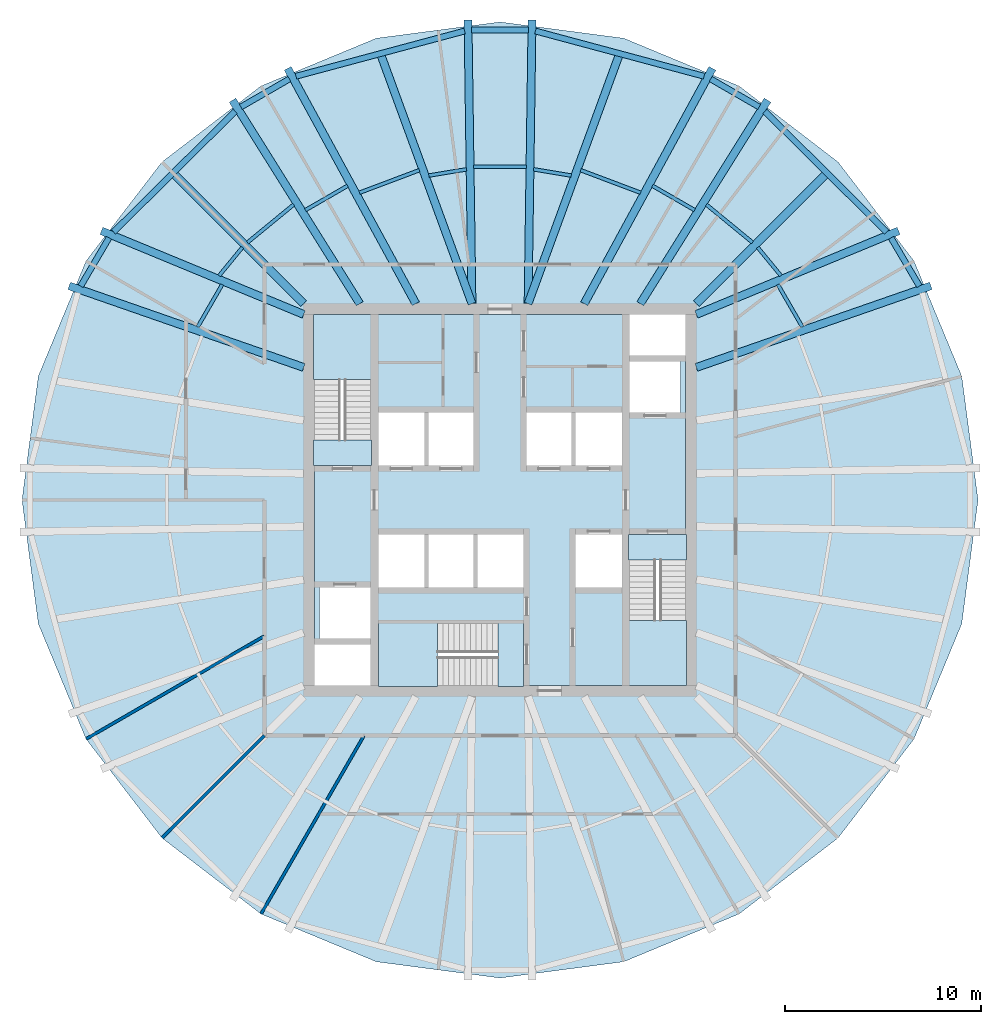
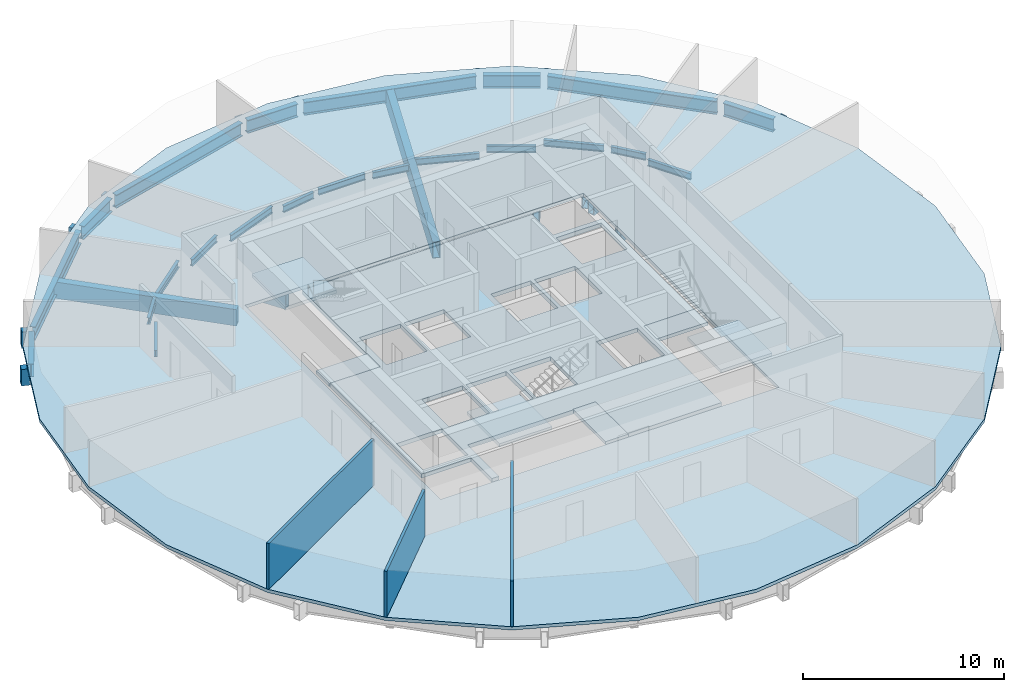
# One storey, part 2 of 6: 36 beams, 8 slabs, 3 walls, 3 elements without a shape of their own.
"""IFC4 building model written with IfcOpenShell, lengths in metres."""

from ifc_helpers import new_model, si_unit, direction, frame, frame_2d, origin, origin_2d, place, context, subcontext, project, spatial, polyline, rectangle, hollow_rectangle, i_section, outline, extrude, material, layer, layer_set, material_profile, profile_set, type_object, element, aggregate, save


model = new_model("IFC4")

# Units and contexts
model_context = context("Model", 3, precision=1e-05, world=origin(), true_north=direction((0.0, 1.0)))
body_context = subcontext(model_context, "Body", "Model", "MODEL_VIEW")
ifc_project = project(units=[si_unit("LENGTHUNIT", "METRE"), si_unit("AREAUNIT", "SQUARE_METRE"), si_unit("VOLUMEUNIT", "CUBIC_METRE"), si_unit("PLANEANGLEUNIT", "RADIAN"), si_unit("MASSUNIT", "GRAM", prefix="KILO")], contexts=[model_context])

# Site, building, storey
site_placement = place(None, origin())
site = spatial("IfcSite", under=ifc_project, at=site_placement, CompositionType="ELEMENT")
building_placement = place(site_placement, origin())
building = spatial("IfcBuilding", under=site, at=building_placement, Name="Golbaran Civic Tower", CompositionType="ELEMENT")
storey_placement = place(building_placement, frame((0.0, 0.0, 146.0)))
storey = spatial("IfcBuildingStorey", under=building, at=storey_placement, Name="L35", CompositionType="ELEMENT", Elevation=146.0)

# Beams
ifc_material_1 = material(Name="Steel S355", Category="steel")
ifc_material_profile_1 = material_profile(ifc_material_1, i_section(OverallWidth=0.300048828125, OverallDepth=0.800048828125, WebThickness=0.017578125, FlangeThickness=0.032958984375, FilletRadius=0.030029296875, at=origin_2d()), Name="HEB 800")
ifc_profile_set_1 = profile_set([ifc_material_profile_1], Name="Steel S355")
beam_type_1 = type_object("IfcBeamType", Name="EDGE BEAM HEB 800", PredefinedType="BEAM", material=ifc_profile_set_1)
beam_1_placement = place(storey_placement, frame((21.357177734375, 10.89208984375, -0.60009765625), z_axis=(-0.506444074261, 0.862272810452, 0.0), x_axis=(-0.862272810452, -0.506444074261, 0.0)))
element("IfcBeam", 1, at=beam_1_placement, inside=storey, type_object=beam_type_1, Name="Edge beam 26.25 L35", PredefinedType="BEAM", context=body_context, shape_type="SweptSolid", body=[
    extrude(i_section(OverallWidth=0.300048828125, OverallDepth=0.800048828125, WebThickness=0.017578125, FlangeThickness=0.032958984375, FilletRadius=0.030029296875, at=origin_2d()), origin(), (0.0, 0.0, 1.0), 2.852783203125),
])
beam_2_placement = place(storey_placement, frame((19.681884765625, 13.646240234375, -0.60009765625), z_axis=(-0.709897225129, 0.704305281646, 0.0), x_axis=(-0.704305281646, -0.709897225129, 0.0)))
element("IfcBeam", 2, at=beam_2_placement, inside=storey, type_object=beam_type_1, Name="Edge beam 33.75 L35", PredefinedType="BEAM", context=body_context, shape_type="SweptSolid", body=[
    extrude(i_section(OverallWidth=0.300048828125, OverallDepth=0.800048828125, WebThickness=0.017578125, FlangeThickness=0.032958984375, FilletRadius=0.030029296875, at=origin_2d()), origin(), (0.0, 0.0, 1.0), 8.73193359375),
])
beam_3_placement = place(storey_placement, frame((13.196044921875, 20.01611328125, -0.60009765625), z_axis=(-0.866144257683, 0.49979408248, 0.0), x_axis=(-0.49979408248, -0.866144257683, 0.0)))
element("IfcBeam", 3, at=beam_3_placement, inside=storey, type_object=beam_type_1, Name="Edge beam 56.25 L35", PredefinedType="BEAM", context=body_context, shape_type="SweptSolid", body=[
    extrude(i_section(OverallWidth=0.300048828125, OverallDepth=0.800048828125, WebThickness=0.017578125, FlangeThickness=0.032958984375, FilletRadius=0.030029296875, at=origin_2d()), origin(), (0.0, 0.0, 1.0), 2.852294921875),
])
beam_4_placement = place(storey_placement, frame((10.390869140625, 21.57958984375, -0.60009765625), z_axis=(-0.965864791698, 0.259046721958, 0.0), x_axis=(-0.259046721958, -0.965864791698, 0.0)))
element("IfcBeam", 4, at=beam_4_placement, inside=storey, type_object=beam_type_1, Name="Edge beam 63.75 L35", PredefinedType="BEAM", context=body_context, shape_type="SweptSolid", body=[
    extrude(i_section(OverallWidth=0.300048828125, OverallDepth=0.800048828125, WebThickness=0.017578125, FlangeThickness=0.032958984375, FilletRadius=0.030029296875, at=origin_2d()), origin(), (0.0, 0.0, 1.0), 8.89111328125),
])
beam_5_placement = place(storey_placement, frame((1.444091796875, 23.930908203125, -0.60009765625), z_axis=(-1.0, 0.0, 0.0), x_axis=(0.0, -1.0, 0.0)))
element("IfcBeam", 5, at=beam_5_placement, inside=storey, type_object=beam_type_1, Name="Edge beam 86.25 L35", PredefinedType="BEAM", context=body_context, shape_type="SweptSolid", body=[
    extrude(i_section(OverallWidth=0.300048828125, OverallDepth=0.800048828125, WebThickness=0.017578125, FlangeThickness=0.032958984375, FilletRadius=0.030029296875, at=origin_2d()), origin(), (0.0, 0.0, 1.0), 2.88818359375),
])
beam_6_placement = place(storey_placement, frame((-1.80322265625, 23.8828125, -0.60009765625), z_axis=(-0.965864791698, -0.259046721958, 0.0), x_axis=(0.259046721958, -0.965864791698, 0.0)))
element("IfcBeam", 6, at=beam_6_placement, inside=storey, type_object=beam_type_1, Name="Edge beam 93.75 L35", PredefinedType="BEAM", context=body_context, shape_type="SweptSolid", body=[
    extrude(i_section(OverallWidth=0.300048828125, OverallDepth=0.800048828125, WebThickness=0.017578125, FlangeThickness=0.032958984375, FilletRadius=0.030029296875, at=origin_2d()), origin(), (0.0, 0.0, 1.0), 8.89111328125),
])
beam_7_placement = place(storey_placement, frame((-10.7255859375, 21.441650390625, -0.60009765625), z_axis=(-0.866144257683, -0.49979408248, 0.0), x_axis=(0.49979408248, -0.866144257683, 0.0)))
element("IfcBeam", 7, at=beam_7_placement, inside=storey, type_object=beam_type_1, Name="Edge beam 116.25 L35", PredefinedType="BEAM", context=body_context, shape_type="SweptSolid", body=[
    extrude(i_section(OverallWidth=0.300048828125, OverallDepth=0.800048828125, WebThickness=0.017578125, FlangeThickness=0.032958984375, FilletRadius=0.030029296875, at=origin_2d()), origin(), (0.0, 0.0, 1.0), 2.852294921875),
])
beam_8_placement = place(storey_placement, frame((-13.483154296875, 19.796142578125, -0.60009765625), z_axis=(-0.709897225129, -0.704305281646, 0.0), x_axis=(0.704305281646, -0.709897225129, 0.0)))
element("IfcBeam", 8, at=beam_8_placement, inside=storey, type_object=beam_type_1, Name="Edge beam 123.75 L35", PredefinedType="BEAM", context=body_context, shape_type="SweptSolid", body=[
    extrude(i_section(OverallWidth=0.300048828125, OverallDepth=0.800048828125, WebThickness=0.017578125, FlangeThickness=0.032958984375, FilletRadius=0.030029296875, at=origin_2d()), origin(), (0.0, 0.0, 1.0), 8.73193359375),
])
beam_9_placement = place(storey_placement, frame((-19.912353515625, 13.35205078125, -0.60009765625), z_axis=(-0.506444074261, -0.862272810452, 0.0), x_axis=(0.862272810452, -0.506444074261, 0.0)))
element("IfcBeam", 9, at=beam_9_placement, inside=storey, type_object=beam_type_1, Name="Edge beam 146.25 L35", PredefinedType="BEAM", context=body_context, shape_type="SweptSolid", body=[
    extrude(i_section(OverallWidth=0.300048828125, OverallDepth=0.800048828125, WebThickness=0.017578125, FlangeThickness=0.032958984375, FilletRadius=0.030029296875, at=origin_2d()), origin(), (0.0, 0.0, 1.0), 2.852783203125),
])
ifc_material_profile_2 = material_profile(ifc_material_1, i_section(OverallWidth=0.179931640625, OverallDepth=0.39990234375, WebThickness=0.008544921875, FlangeThickness=0.013427734375, FilletRadius=0.02099609375, at=origin_2d()), Name="IPE 400")
ifc_profile_set_2 = profile_set([ifc_material_profile_2], Name="Steel S355")
beam_type_2 = type_object("IfcBeamType", Name="FLOOR INFILL BEAM IPE 400", PredefinedType="BEAM", material=ifc_profile_set_2)
beam_10_placement = place(storey_placement, frame((15.3935546875, 8.817138671875, -0.39990234375), z_axis=(-0.499983108224, 0.866035156036, 0.0), x_axis=(-0.866035156036, -0.499983108224, 0.0)))
element("IfcBeam", 10, at=beam_10_placement, inside=storey, type_object=beam_type_2, Name="Infill beam 30.00 L35", PredefinedType="BEAM", context=body_context, shape_type="SweptSolid", body=[
    extrude(i_section(OverallWidth=0.179931640625, OverallDepth=0.39990234375, WebThickness=0.008544921875, FlangeThickness=0.013427734375, FilletRadius=0.02099609375, at=origin_2d()), origin(), (0.0, 0.0, 1.0), 2.486328125),
])
beam_11_placement = place(storey_placement, frame((14.30419921875, 11.423583984375, -0.39990234375), z_axis=(-0.634348693191, 0.773047046076, 0.0), x_axis=(-0.773047046076, -0.634348693191, 0.0)))
element("IfcBeam", 11, at=beam_11_placement, inside=storey, type_object=beam_type_2, Name="Infill beam 39.37 L35", PredefinedType="BEAM", context=body_context, shape_type="SweptSolid", body=[
    extrude(i_section(OverallWidth=0.179931640625, OverallDepth=0.39990234375, WebThickness=0.008544921875, FlangeThickness=0.013427734375, FilletRadius=0.02099609375, at=origin_2d()), origin(), (0.0, 0.0, 1.0), 1.86572265625),
])
beam_12_placement = place(storey_placement, frame((12.859619140625, 13.114013671875, -0.39990234375), z_axis=(-0.773044086455, 0.634352299907, 0.0), x_axis=(-0.634352299907, -0.773044086455, 0.0)))
element("IfcBeam", 12, at=beam_12_placement, inside=storey, type_object=beam_type_2, Name="Infill beam 50.63 L35", PredefinedType="BEAM", context=body_context, shape_type="SweptSolid", body=[
    extrude(i_section(OverallWidth=0.179931640625, OverallDepth=0.39990234375, WebThickness=0.008544921875, FlangeThickness=0.013427734375, FilletRadius=0.02099609375, at=origin_2d()), origin(), (0.0, 0.0, 1.0), 3.0400390625),
])
beam_13_placement = place(storey_placement, frame((9.90966796875, 14.762451171875, -0.39990234375), z_axis=(-0.866005271205, 0.500034869029, 0.0), x_axis=(-0.500034869029, -0.866005271205, 0.0)))
element("IfcBeam", 13, at=beam_13_placement, inside=storey, type_object=beam_type_2, Name="Infill beam 60.00 L35", PredefinedType="BEAM", context=body_context, shape_type="SweptSolid", body=[
    extrude(i_section(OverallWidth=0.179931640625, OverallDepth=0.39990234375, WebThickness=0.008544921875, FlangeThickness=0.013427734375, FilletRadius=0.02099609375, at=origin_2d()), origin(), (0.0, 0.0, 1.0), 2.480224609375),
])
beam_14_placement = place(storey_placement, frame((7.158447265625, 15.64794921875, -0.39990234375), z_axis=(-0.93588812871, 0.352297332575, 0.0), x_axis=(-0.352297332575, -0.93588812871, 0.0)))
element("IfcBeam", 14, at=beam_14_placement, inside=storey, type_object=beam_type_2, Name="Infill beam 69.37 L35", PredefinedType="BEAM", context=body_context, shape_type="SweptSolid", body=[
    extrude(i_section(OverallWidth=0.179931640625, OverallDepth=0.39990234375, WebThickness=0.008544921875, FlangeThickness=0.013427734375, FilletRadius=0.02099609375, at=origin_2d()), origin(), (0.0, 0.0, 1.0), 3.258544921875),
])
beam_15_placement = place(storey_placement, frame((3.625244140625, 16.5224609375, -0.39990234375), z_axis=(-0.986640247063, 0.162914157994, 0.0), x_axis=(-0.162914157994, -0.986640247063, 0.0)))
element("IfcBeam", 15, at=beam_15_placement, inside=storey, type_object=beam_type_2, Name="Infill beam 80.63 L35", PredefinedType="BEAM", context=body_context, shape_type="SweptSolid", body=[
    extrude(i_section(OverallWidth=0.179931640625, OverallDepth=0.39990234375, WebThickness=0.008544921875, FlangeThickness=0.013427734375, FilletRadius=0.02099609375, at=origin_2d()), origin(), (0.0, 0.0, 1.0), 1.94677734375),
])
beam_16_placement = place(storey_placement, frame((1.34619140625, 16.965576171875, -0.39990234375), z_axis=(-1.0, 0.0, 0.0), x_axis=(0.0, -1.0, 0.0)))
element("IfcBeam", 16, at=beam_16_placement, inside=storey, type_object=beam_type_2, Name="Infill beam 90.00 L35", PredefinedType="BEAM", context=body_context, shape_type="SweptSolid", body=[
    extrude(i_section(OverallWidth=0.179931640625, OverallDepth=0.39990234375, WebThickness=0.008544921875, FlangeThickness=0.013427734375, FilletRadius=0.02099609375, at=origin_2d()), origin(), (0.0, 0.0, 1.0), 2.6923828125),
])
beam_17_placement = place(storey_placement, frame((-1.70458984375, 16.839599609375, -0.39990234375), z_axis=(-0.986640247063, -0.162914157994, 0.0), x_axis=(0.162914157994, -0.986640247063, 0.0)))
element("IfcBeam", 17, at=beam_17_placement, inside=storey, type_object=beam_type_2, Name="Infill beam 99.37 L35", PredefinedType="BEAM", context=body_context, shape_type="SweptSolid", body=[
    extrude(i_section(OverallWidth=0.179931640625, OverallDepth=0.39990234375, WebThickness=0.008544921875, FlangeThickness=0.013427734375, FilletRadius=0.02099609375, at=origin_2d()), origin(), (0.0, 0.0, 1.0), 1.94677734375),
])
beam_18_placement = place(storey_placement, frame((-4.10888671875, 16.7958984375, -0.39990234375), z_axis=(-0.93588812871, -0.352297332575, 0.0), x_axis=(0.352297332575, -0.93588812871, 0.0)))
element("IfcBeam", 18, at=beam_18_placement, inside=storey, type_object=beam_type_2, Name="Infill beam 110.63 L35", PredefinedType="BEAM", context=body_context, shape_type="SweptSolid", body=[
    extrude(i_section(OverallWidth=0.179931640625, OverallDepth=0.39990234375, WebThickness=0.008544921875, FlangeThickness=0.013427734375, FilletRadius=0.02099609375, at=origin_2d()), origin(), (0.0, 0.0, 1.0), 3.258544921875),
])
beam_19_placement = place(storey_placement, frame((-7.76171875, 16.002685546875, -0.39990234375), z_axis=(-0.866005271205, -0.500034869029, 0.0), x_axis=(0.500034869029, -0.866005271205, 0.0)))
element("IfcBeam", 19, at=beam_19_placement, inside=storey, type_object=beam_type_2, Name="Infill beam 120.00 L35", PredefinedType="BEAM", context=body_context, shape_type="SweptSolid", body=[
    extrude(i_section(OverallWidth=0.179931640625, OverallDepth=0.39990234375, WebThickness=0.008544921875, FlangeThickness=0.013427734375, FilletRadius=0.02099609375, at=origin_2d()), origin(), (0.0, 0.0, 1.0), 2.480224609375),
])
beam_20_placement = place(storey_placement, frame((-10.509521484375, 15.04248046875, -0.39990234375), z_axis=(-0.773044086455, -0.634352299907, 0.0), x_axis=(0.634352299907, -0.773044086455, 0.0)))
element("IfcBeam", 20, at=beam_20_placement, inside=storey, type_object=beam_type_2, Name="Infill beam 129.37 L35", PredefinedType="BEAM", context=body_context, shape_type="SweptSolid", body=[
    extrude(i_section(OverallWidth=0.179931640625, OverallDepth=0.39990234375, WebThickness=0.008544921875, FlangeThickness=0.013427734375, FilletRadius=0.02099609375, at=origin_2d()), origin(), (0.0, 0.0, 1.0), 3.0400390625),
])
beam_21_placement = place(storey_placement, frame((-13.12060546875, 12.865966796875, -0.39990234375), z_axis=(-0.634348693191, -0.773047046076, 0.0), x_axis=(0.773047046076, -0.634348693191, 0.0)))
element("IfcBeam", 21, at=beam_21_placement, inside=storey, type_object=beam_type_2, Name="Infill beam 140.63 L35", PredefinedType="BEAM", context=body_context, shape_type="SweptSolid", body=[
    extrude(i_section(OverallWidth=0.179931640625, OverallDepth=0.39990234375, WebThickness=0.008544921875, FlangeThickness=0.013427734375, FilletRadius=0.02099609375, at=origin_2d()), origin(), (0.0, 0.0, 1.0), 1.86572265625),
])
beam_22_placement = place(storey_placement, frame((-14.150390625, 10.970458984375, -0.39990234375), z_axis=(-0.499983108224, -0.866035156036, 0.0), x_axis=(0.866035156036, -0.499983108224, 0.0)))
element("IfcBeam", 22, at=beam_22_placement, inside=storey, type_object=beam_type_2, Name="Infill beam 150.00 L35", PredefinedType="BEAM", context=body_context, shape_type="SweptSolid", body=[
    extrude(i_section(OverallWidth=0.179931640625, OverallDepth=0.39990234375, WebThickness=0.008544921875, FlangeThickness=0.013427734375, FilletRadius=0.02099609375, at=origin_2d()), origin(), (0.0, 0.0, 1.0), 2.486328125),
])
ifc_material_profile_3 = material_profile(ifc_material_1, hollow_rectangle(XDim=0.39990234375, YDim=1.0, WallThickness=0.050048828125, at=origin_2d()), Name="BOX 1000x400x50")
ifc_profile_set_3 = profile_set([ifc_material_profile_3], Name="Steel S355")
beam_type_3 = type_object("IfcBeamType", Name="RADIAL FLOOR BEAM BOX 1000x400x50", PredefinedType="BEAM", material=ifc_profile_set_3)
beam_23_placement = place(storey_placement, frame((10.0, 6.75, -0.7099609375), z_axis=(0.944467876409, 0.328603759003, 0.0), x_axis=(-0.328603759003, 0.944467876409, 0.0)))
element("IfcBeam", 23, at=beam_23_placement, inside=storey, type_object=beam_type_3, Name="Radial beam 26.25 L35", PredefinedType="BEAM", context=body_context, shape_type="SweptSolid", body=[
    extrude(hollow_rectangle(XDim=0.39990234375, YDim=1.0, WallThickness=0.050048828125, at=origin_2d()), origin(), (0.0, 0.0, 1.0), 12.64306640625),
])
beam_24_placement = place(storey_placement, frame((10.0, 9.449951171875, -0.7099609375), z_axis=(0.924174511339, 0.381970512724, 0.0), x_axis=(-0.381970512724, 0.924174511339, 0.0)))
element("IfcBeam", 24, at=beam_24_placement, inside=storey, type_object=beam_type_3, Name="Radial beam 33.75 L35", PredefinedType="BEAM", context=body_context, shape_type="SweptSolid", body=[
    extrude(hollow_rectangle(XDim=0.39990234375, YDim=1.0, WallThickness=0.050048828125, at=origin_2d()), origin(), (0.0, 0.0, 1.0), 11.142578125),
])
beam_25_placement = place(storey_placement, frame((7.142822265625, 10.0, -0.7099609375), z_axis=(0.530338338936, 0.847786085198, 0.0), x_axis=(-0.847786085198, 0.530338338936, 0.0)))
element("IfcBeam", 25, at=beam_25_placement, inside=storey, type_object=beam_type_3, Name="Radial beam 56.25 L35", PredefinedType="BEAM", context=body_context, shape_type="SweptSolid", body=[
    extrude(hollow_rectangle(XDim=0.39990234375, YDim=1.0, WallThickness=0.050048828125, at=origin_2d()), origin(), (0.0, 0.0, 1.0), 12.218994140625),
])
beam_26_placement = place(storey_placement, frame((4.28564453125, 10.0, -0.7099609375), z_axis=(0.478514836711, 0.878079467387, 0.0), x_axis=(-0.878079467387, 0.478514836711, 0.0)))
element("IfcBeam", 26, at=beam_26_placement, inside=storey, type_object=beam_type_3, Name="Radial beam 63.75 L35", PredefinedType="BEAM", context=body_context, shape_type="SweptSolid", body=[
    extrude(hollow_rectangle(XDim=0.39990234375, YDim=1.0, WallThickness=0.050048828125, at=origin_2d()), origin(), (0.0, 0.0, 1.0), 13.643310546875),
])
for number, where, z_axis, x_axis, name in (
    (27, (1.428466796875, 10.0, -0.7099609375), (0.014030029021, 0.999901574299, 0.0), (-0.999901574299, 0.014030029021, 0.0), "Radial beam 86.25 L35"),
    (28, (-1.428466796875, 10.0, -0.7099609375), (-0.014030029021, 0.999901574299, 0.0), (-0.999901574299, -0.014030029021, 0.0), "Radial beam 93.75 L35"),
):
    element("IfcBeam", number, at=place(storey_placement, frame(where, z_axis=z_axis, x_axis=x_axis)), inside=storey, type_object=beam_type_3, Name=name, PredefinedType="BEAM", context=body_context, shape_type="SweptSolid", body=[
        extrude(hollow_rectangle(XDim=0.39990234375, YDim=1.0, WallThickness=0.050048828125, at=origin_2d()), origin(), (0.0, 0.0, 1.0), 14.443115234375),
    ])
beam_27_placement = place(storey_placement, frame((-4.28564453125, 10.0, -0.7099609375), z_axis=(-0.478514836711, 0.878079467387, 0.0), x_axis=(-0.878079467387, -0.478514836711, 0.0)))
element("IfcBeam", 29, at=beam_27_placement, inside=storey, type_object=beam_type_3, Name="Radial beam 116.25 L35", PredefinedType="BEAM", context=body_context, shape_type="SweptSolid", body=[
    extrude(hollow_rectangle(XDim=0.39990234375, YDim=1.0, WallThickness=0.050048828125, at=origin_2d()), origin(), (0.0, 0.0, 1.0), 13.643310546875),
])
beam_28_placement = place(storey_placement, frame((-7.142822265625, 10.0, -0.7099609375), z_axis=(-0.530338338936, 0.847786085198, 0.0), x_axis=(-0.847786085198, -0.530338338936, 0.0)))
element("IfcBeam", 30, at=beam_28_placement, inside=storey, type_object=beam_type_3, Name="Radial beam 123.75 L35", PredefinedType="BEAM", context=body_context, shape_type="SweptSolid", body=[
    extrude(hollow_rectangle(XDim=0.39990234375, YDim=1.0, WallThickness=0.050048828125, at=origin_2d()), origin(), (0.0, 0.0, 1.0), 12.218994140625),
])
beam_29_placement = place(storey_placement, frame((-10.0, 9.449951171875, -0.7099609375), z_axis=(-0.924174511339, 0.381970512724, 0.0), x_axis=(-0.381970512724, -0.924174511339, 0.0)))
element("IfcBeam", 31, at=beam_29_placement, inside=storey, type_object=beam_type_3, Name="Radial beam 146.25 L35", PredefinedType="BEAM", context=body_context, shape_type="SweptSolid", body=[
    extrude(hollow_rectangle(XDim=0.39990234375, YDim=1.0, WallThickness=0.050048828125, at=origin_2d()), origin(), (0.0, 0.0, 1.0), 11.142578125),
])
beam_30_placement = place(storey_placement, frame((-10.0, 6.75, -0.7099609375), z_axis=(-0.944467876409, 0.328603759003, 0.0), x_axis=(-0.328603759003, -0.944467876409, 0.0)))
element("IfcBeam", 32, at=beam_30_placement, inside=storey, type_object=beam_type_3, Name="Radial beam 153.75 L35", PredefinedType="BEAM", context=body_context, shape_type="SweptSolid", body=[
    extrude(hollow_rectangle(XDim=0.39990234375, YDim=1.0, WallThickness=0.050048828125, at=origin_2d()), origin(), (0.0, 0.0, 1.0), 12.64306640625),
])
ifc_material_profile_4 = material_profile(ifc_material_1, hollow_rectangle(XDim=0.39990234375, YDim=1.0, WallThickness=0.0400390625, at=origin_2d()), Name="BOX 1000x400x40")
ifc_profile_set_4 = profile_set([ifc_material_profile_4], Name="Steel S355")
beam_type_4 = type_object("IfcBeamType", Name="SECONDARY FLOOR BEAM BOX 1000x400x40", PredefinedType="BEAM", material=ifc_profile_set_4)
beam_31_placement = place(storey_placement, frame((10.0, 10.0, -0.7099609375), z_axis=(0.707106781187, 0.707106781187, 0.0), x_axis=(-0.707106781187, 0.707106781187, 0.0)))
element("IfcBeam", 33, at=beam_31_placement, inside=storey, type_object=beam_type_4, Name="Secondary beam 45.00 L35", PredefinedType="BEAM", context=body_context, shape_type="SweptSolid", body=[
    extrude(hollow_rectangle(XDim=0.39990234375, YDim=1.0, WallThickness=0.0400390625, at=origin_2d()), origin(), (0.0, 0.0, 1.0), 9.407470703125),
])
for number, where, z_axis, x_axis, name in (
    (34, (1.428466796875, 10.0, -0.7099609375), (0.343871602002, 0.93901667788, 0.0), (-0.93901667788, 0.343871602002, 0.0), "Secondary beam 75.00 L35"),
    (35, (-1.428466796875, 10.0, -0.7099609375), (-0.343871602002, 0.93901667788, 0.0), (-0.93901667788, -0.343871602002, 0.0), "Secondary beam 105.00 L35"),
):
    element("IfcBeam", number, at=place(storey_placement, frame(where, z_axis=z_axis, x_axis=x_axis)), inside=storey, type_object=beam_type_4, Name=name, PredefinedType="BEAM", context=body_context, shape_type="SweptSolid", body=[
        extrude(hollow_rectangle(XDim=0.39990234375, YDim=1.0, WallThickness=0.0400390625, at=origin_2d()), origin(), (0.0, 0.0, 1.0), 13.559814453125),
    ])
beam_32_placement = place(storey_placement, frame((-10.0, 10.0, -0.7099609375), z_axis=(-0.707106781187, 0.707106781187, 0.0), x_axis=(-0.707106781187, -0.707106781187, 0.0)))
element("IfcBeam", 36, at=beam_32_placement, inside=storey, type_object=beam_type_4, Name="Secondary beam 135.00 L35", PredefinedType="BEAM", context=body_context, shape_type="SweptSolid", body=[
    extrude(hollow_rectangle(XDim=0.39990234375, YDim=1.0, WallThickness=0.0400390625, at=origin_2d()), origin(), (0.0, 0.0, 1.0), 9.407470703125),
])

# Slabs
ifc_material_2 = material(Name="Concrete LC30/33 lightweight on steel deck", Category="concrete")
ifc_layer_1 = layer(ifc_material_2, 0.199951171875, Name="Concrete LC30/33 lightweight on steel deck")
ifc_layer_set_1 = layer_set([ifc_layer_1], Name="Concrete LC30/33 lightweight on steel deck")
slab_type_1 = type_object("IfcSlabType", Name="COMPOSITE FLOOR SLAB 200", PredefinedType="FLOOR", material=ifc_layer_set_1)
slab_1_placement = place(storey_placement, frame((0.0, 0.0, -0.199951171875)))
element("IfcSlab", 37, at=slab_1_placement, inside=storey, type_object=slab_type_1, Name="Floor slab L35", PredefinedType="FLOOR", context=body_context, shape_type="SweptSolid", body=[
    extrude(outline(polyline([(21.082763671875, -12.172119140625), (17.214111328125, -17.214111328125), (12.172119140625, -21.082763671875), (6.30078125, -23.514892578125), (0.0, -24.34423828125), (-6.30078125, -23.514892578125), (-12.172119140625, -21.082763671875), (-17.214111328125, -17.214111328125), (-21.082763671875, -12.172119140625), (-23.514892578125, -6.30078125), (-24.34423828125, 0.0), (-23.514892578125, 6.30078125), (-21.082763671875, 12.172119140625), (-17.214111328125, 17.214111328125), (-12.172119140625, 21.082763671875), (-6.30078125, 23.514892578125), (0.0, 24.34423828125), (6.30078125, 23.514892578125), (12.172119140625, 21.082763671875), (17.214111328125, 17.214111328125), (21.082763671875, 12.172119140625), (23.514892578125, 6.30078125), (24.34423828125, 0.0), (23.514892578125, -6.30078125), (21.082763671875, -12.172119140625)]), holes=[polyline([(-9.72509765625, 9.72509765625), (-9.72509765625, -9.72509765625), (9.72509765625, -9.72509765625), (9.72509765625, 9.72509765625), (-9.72509765625, 9.72509765625)])]), origin(), (0.0, 0.0, 1.0), 0.199951171875),
])
ifc_material_3 = material(Name="Concrete C35/45", Category="concrete")
ifc_layer_2 = layer(ifc_material_3, 0.25, Name="Concrete C35/45")
ifc_layer_set_2 = layer_set([ifc_layer_2], Name="Concrete C35/45")
slab_type_2 = type_object("IfcSlabType", Name="CORE FLOOR SLAB 250", PredefinedType="FLOOR", material=ifc_layer_set_2)
slab_2_placement = place(storey_placement, frame((0.0, 0.0, -0.25)))
element("IfcSlab", 38, at=slab_2_placement, inside=storey, type_object=slab_type_2, Name="Core floor slab L35", PredefinedType="FLOOR", context=body_context, shape_type="SweptSolid", body=[
    extrude(outline(polyline([(6.60009765625, -1.75), (6.60009765625, -9.449951171875), (1.199951171875, -9.449951171875), (1.199951171875, -6.300048828125), (-6.199951171875, -6.300048828125), (-6.199951171875, -9.449951171875), (-6.60009765625, -9.449951171875), (-6.60009765625, -7.35009765625), (-9.449951171875, -7.35009765625), (-9.449951171875, 1.75), (-6.60009765625, 1.75), (-6.60009765625, 9.449951171875), (6.60009765625, 9.449951171875), (6.60009765625, 7.35009765625), (9.449951171875, 7.35009765625), (9.449951171875, -1.75), (6.60009765625, -1.75)]), holes=[polyline([(9.199951171875, 7.050048828125), (6.60009765625, 7.050048828125), (6.60009765625, 4.449951171875), (9.199951171875, 4.449951171875), (9.199951171875, 7.050048828125)]), polyline([(6.199951171875, -1.75), (3.85009765625, -1.75), (3.85009765625, -4.449951171875), (6.199951171875, -4.449951171875), (6.199951171875, -1.75)]), polyline([(6.199951171875, 4.449951171875), (3.85009765625, 4.449951171875), (3.85009765625, 1.75), (6.199951171875, 1.75), (6.199951171875, 4.449951171875)]), polyline([(3.64990234375, 4.449951171875), (1.35009765625, 4.449951171875), (1.35009765625, 1.75), (3.64990234375, 1.75), (3.64990234375, 4.449951171875)]), polyline([(1.199951171875, -1.75), (-1.14990234375, -1.75), (-1.14990234375, -4.449951171875), (1.199951171875, -4.449951171875), (1.199951171875, -1.75)]), polyline([(-1.35009765625, 4.449951171875), (-3.64990234375, 4.449951171875), (-3.64990234375, 1.75), (-1.35009765625, 1.75), (-1.35009765625, 4.449951171875)]), polyline([(-1.35009765625, -1.75), (-3.64990234375, -1.75), (-3.64990234375, -4.449951171875), (-1.35009765625, -4.449951171875), (-1.35009765625, -1.75)]), polyline([(-3.85009765625, -1.75), (-6.199951171875, -1.75), (-6.199951171875, -4.449951171875), (-3.85009765625, -4.449951171875), (-3.85009765625, -1.75)]), polyline([(-3.85009765625, 4.449951171875), (-6.199951171875, 4.449951171875), (-6.199951171875, 1.75), (-3.85009765625, 1.75), (-3.85009765625, 4.449951171875)]), polyline([(-6.60009765625, -4.449951171875), (-9.199951171875, -4.449951171875), (-9.199951171875, -7.050048828125), (-6.60009765625, -7.050048828125), (-6.60009765625, -4.449951171875)])]), origin(), (0.0, 0.0, 1.0), 0.25),
])

# Stair, slab
stair_type_1 = type_object("IfcStairType", Name="EXIT STAIR 2850 x 7700, 4000 RISE", PredefinedType="HALF_TURN_STAIR", material=ifc_material_3)
stair_1_placement = place(storey_placement, origin())
stair_1 = element("IfcStair", 39, at=stair_1_placement, inside=storey, type_object=stair_type_1, Name="Stair S1 L35", PredefinedType="HALF_TURN_STAIR")
ifc_layer_3 = layer(ifc_material_3, 0.199951171875, Name="Concrete C35/45")
ifc_layer_set_3 = layer_set([ifc_layer_3], Name="Concrete C35/45")
slab_type_3 = type_object("IfcSlabType", Name="STAIR LANDING 200", PredefinedType="LANDING", material=ifc_layer_set_3)
slab_3_placement = place(storey_placement, frame((0.0, 0.0, 1.800048828125)))
slab_3 = element("IfcSlab", 40, at=slab_3_placement, type_object=slab_type_3, Name="ST28577-40 landing 1", PredefinedType="LANDING", context=body_context, shape_type="SweptSolid", body=[
    extrude(outline(polyline([(-9.5, 6.125), (-9.5, 9.449951171875), (-6.550048828125, 9.449951171875), (-6.550048828125, 6.125), (-9.5, 6.125)])), origin(), (0.0, 0.0, 1.0), 0.199951171875),
])
aggregate(stair_1, [slab_3])

# Slab
slab_4_placement = place(storey_placement, frame((0.0, 0.0, -0.199951171875)))
element("IfcSlab", 41, at=slab_4_placement, inside=storey, type_object=slab_type_3, Name="Stair S1 floor landing L35", PredefinedType="LANDING", context=body_context, shape_type="SweptSolid", body=[
    extrude(outline(polyline([(-9.5, 1.75), (-9.5, 3.054931640625), (-6.550048828125, 3.054931640625), (-6.550048828125, 1.75), (-9.5, 1.75)])), origin(), (0.0, 0.0, 1.0), 0.199951171875),
])

# Stair, slab
stair_2_placement = place(storey_placement, origin())
stair_2 = element("IfcStair", 42, at=stair_2_placement, inside=storey, type_object=stair_type_1, Name="Stair S2 L35", PredefinedType="HALF_TURN_STAIR")
slab_5_placement = place(storey_placement, frame((0.0, 0.0, 1.800048828125)))
slab_5 = element("IfcSlab", 43, at=slab_5_placement, type_object=slab_type_3, Name="ST28577-40 landing 1", PredefinedType="LANDING", context=body_context, shape_type="SweptSolid", body=[
    extrude(outline(polyline([(9.5, -6.125), (9.5, -9.449951171875), (6.550048828125, -9.449951171875), (6.550048828125, -6.125), (9.5, -6.125)])), origin(), (0.0, 0.0, 1.0), 0.199951171875),
])
aggregate(stair_2, [slab_5])

# Slab
slab_6_placement = place(storey_placement, frame((0.0, 0.0, -0.199951171875)))
element("IfcSlab", 44, at=slab_6_placement, inside=storey, type_object=slab_type_3, Name="Stair S2 floor landing L35", PredefinedType="LANDING", context=body_context, shape_type="SweptSolid", body=[
    extrude(outline(polyline([(9.5, -1.75), (9.5, -3.054931640625), (6.550048828125, -3.054931640625), (6.550048828125, -1.75), (9.5, -1.75)])), origin(), (0.0, 0.0, 1.0), 0.199951171875),
])

# Stair, slab
stair_type_2 = type_object("IfcStairType", Name="EXIT STAIR 3150 x 7400, 4000 RISE", PredefinedType="HALF_TURN_STAIR", material=ifc_material_3)
stair_3_placement = place(storey_placement, origin())
stair_3 = element("IfcStair", 45, at=stair_3_placement, inside=storey, type_object=stair_type_2, Name="Stair S3 L35", PredefinedType="HALF_TURN_STAIR")
slab_7_placement = place(storey_placement, frame((0.0, 0.0, 1.800048828125)))
slab_7 = element("IfcSlab", 46, at=slab_7_placement, type_object=slab_type_3, Name="ST31574-40 landing 1", PredefinedType="LANDING", context=body_context, shape_type="SweptSolid", body=[
    extrude(outline(polyline([(-3.175048828125, -9.5), (-6.199951171875, -9.5), (-6.199951171875, -6.25), (-3.175048828125, -6.25), (-3.175048828125, -9.5)])), origin(), (0.0, 0.0, 1.0), 0.199951171875),
])
aggregate(stair_3, [slab_7])

# Slab
slab_8_placement = place(storey_placement, frame((0.0, 0.0, -0.199951171875)))
element("IfcSlab", 47, at=slab_8_placement, inside=storey, type_object=slab_type_3, Name="Stair S3 floor landing L35", PredefinedType="LANDING", context=body_context, shape_type="SweptSolid", body=[
    extrude(outline(polyline([(1.199951171875, -9.5), (-0.10498046875, -9.5), (-0.10498046875, -6.25), (1.199951171875, -6.25), (1.199951171875, -9.5)])), origin(), (0.0, 0.0, 1.0), 0.199951171875),
])

# Walls
ifc_material_4 = material(Name="Gypsum board on steel studs", Category="steel")
ifc_layer_4 = layer(ifc_material_4, 0.14990234375, Name="Gypsum board on steel studs")
ifc_layer_set_4 = layer_set([ifc_layer_4], Name="Gypsum board on steel studs")
wall_type = type_object("IfcWallType", Name="OFFICE PARTITION 150", PredefinedType="PARTITIONING", material=ifc_layer_set_4)
wall_1_placement = place(storey_placement, frame((-12.0, -6.92822265625, 0.0), z_axis=(0.0, 0.0, 1.0), x_axis=(-0.866029212144, -0.49999340367, 0.0)))
element("IfcWall", 48, at=wall_1_placement, inside=storey, type_object=wall_type, Name="Partition 210 L35", PredefinedType="PARTITIONING", context=body_context, shape_type="SweptSolid", body=[
    extrude(rectangle(XDim=10.477783203125, YDim=0.14990234375, at=frame_2d((5.23876953125, 0.0))), origin(), (0.0, 0.0, 1.0), 2.7900390625),
])
wall_2_placement = place(storey_placement, frame((-12.0, -12.0, 0.0), z_axis=(0.0, 0.0, 1.0), x_axis=(-0.707106781187, -0.707106781187, 0.0)))
element("IfcWall", 49, at=wall_2_placement, inside=storey, type_object=wall_type, Name="Partition 225 L35", PredefinedType="PARTITIONING", context=body_context, shape_type="SweptSolid", body=[
    extrude(rectangle(XDim=7.363525390625, YDim=0.14990234375, at=frame_2d((3.681640625, 0.0))), origin(), (0.0, 0.0, 1.0), 2.7900390625),
])
wall_3_placement = place(storey_placement, frame((-6.92822265625, -12.0, 0.0), z_axis=(0.0, 0.0, 1.0), x_axis=(-0.49999340367, -0.866029212144, 0.0)))
element("IfcWall", 50, at=wall_3_placement, inside=storey, type_object=wall_type, Name="Partition 240 L35", PredefinedType="PARTITIONING", context=body_context, shape_type="SweptSolid", body=[
    extrude(rectangle(XDim=10.477783203125, YDim=0.14990234375, at=frame_2d((5.23876953125, 0.0))), origin(), (0.0, 0.0, 1.0), 2.7900390625),
])

save(model, "model.ifc")
